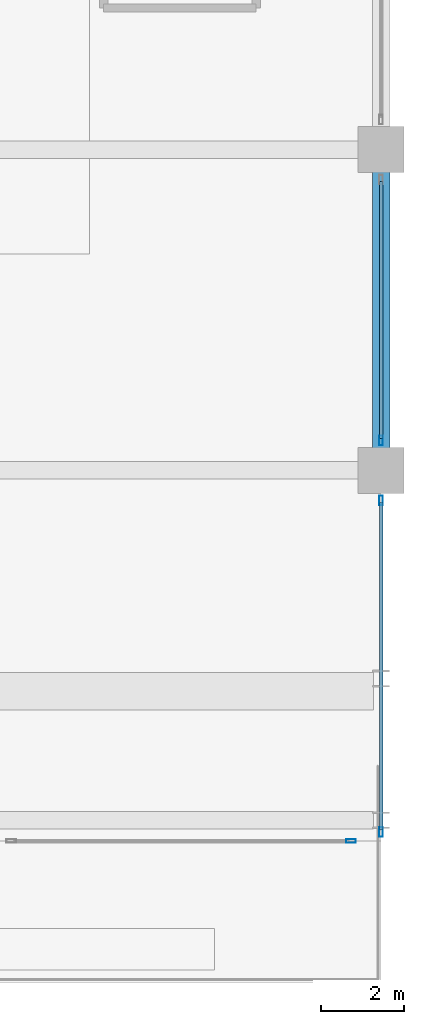
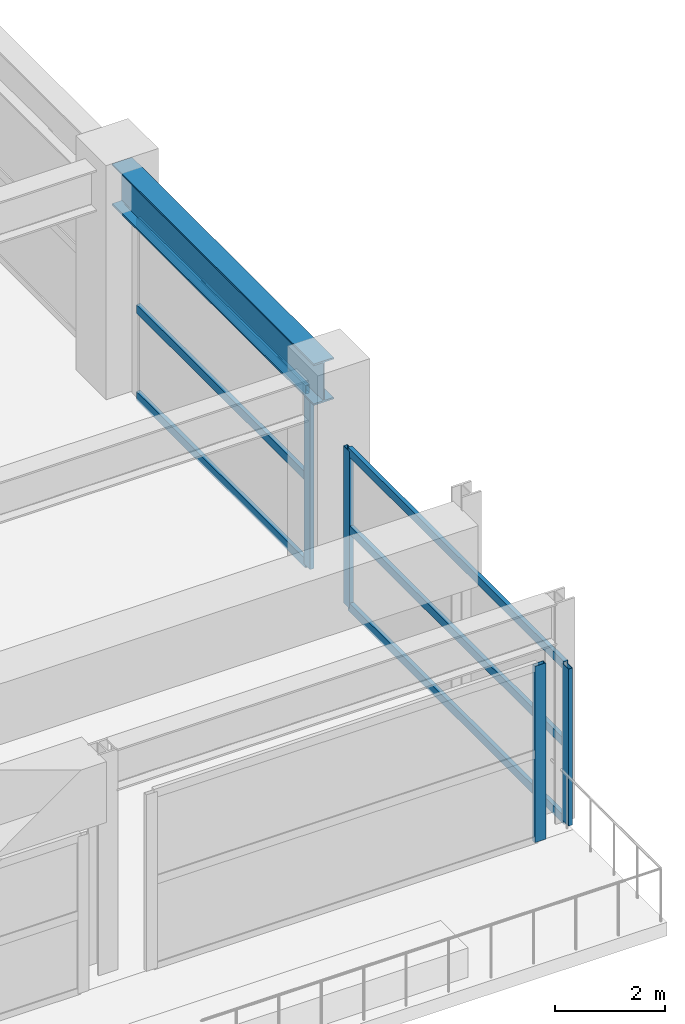
# One storey, part 27 of 45: 10 members, 1 beam, 3 elements without a shape of their own.
"""IFC4 building model written with IfcOpenShell, lengths in metres."""

from ifc_helpers import new_model, si_unit, direction, frame, origin, origin_2d, place, context, subcontext, project, spatial, hollow_rectangle, i_section, extrude, material, material_profile, profile_set, type_object, element, aggregate, save


model = new_model("IFC4")

# Units and contexts
model_context = context("Model", 3, precision=1e-05, world=origin(), true_north=direction((0.0, 1.0)))
body_context = subcontext(model_context, "Body", "Model", "MODEL_VIEW")
ifc_project = project(units=[si_unit("LENGTHUNIT", "METRE"), si_unit("AREAUNIT", "SQUARE_METRE"), si_unit("VOLUMEUNIT", "CUBIC_METRE"), si_unit("PLANEANGLEUNIT", "RADIAN"), si_unit("MASSUNIT", "GRAM", prefix="KILO")], contexts=[model_context])

# Site, building, storey
site_placement = place(None, origin())
site = spatial("IfcSite", under=ifc_project, at=site_placement, CompositionType="ELEMENT")
building_placement = place(site_placement, origin())
building = spatial("IfcBuilding", under=site, at=building_placement, Name="Kovane Verandah Tower", CompositionType="ELEMENT")
storey_placement = place(building_placement, frame((0.0, 0.0, 6.0)))
storey = spatial("IfcBuildingStorey", under=building, at=storey_placement, Name="L01", CompositionType="ELEMENT", Elevation=6.0)

# Beam
ifc_material_1 = material(Name="Steel S460", Category="steel")
ifc_material_profile_1 = material_profile(ifc_material_1, i_section(OverallWidth=0.42041015625, OverallDepth=0.9208984375, WebThickness=0.021484375, FlangeThickness=0.03662109375, FilletRadius=0.024169921875, at=origin_2d()), Name="UB914x419x388")
ifc_profile_set_1 = profile_set([ifc_material_profile_1], Name="Steel S460")
beam_type = type_object("IfcBeamType", Name="BM-UB914x388", PredefinedType="BEAM", material=ifc_profile_set_1)
beam_placement = place(storey_placement, frame((82.0, 10.97998046875, 4.439453125), z_axis=(0.0, 1.0, 0.0), x_axis=(-1.0, 0.0, 0.0)))
element("IfcBeam", 1, at=beam_placement, inside=storey, type_object=beam_type, Name="L01 Podium Grid Girder Y40", PredefinedType="BEAM", context=body_context, shape_type="SweptSolid", body=[
    extrude(i_section(OverallWidth=0.42041015625, OverallDepth=0.9208984375, WebThickness=0.021484375, FlangeThickness=0.03662109375, FilletRadius=0.024169921875, at=origin_2d()), origin(), (0.0, 0.0, 1.0), 7.340087890625),
])

# Curtain wall, member
ifc_material_2 = material(Name="Champagne Anodised Aluminium Frame with Low-E Clear Laminated Glass", Category="aluminium")
curtain_wall_type = type_object("IfcCurtainWallType", Name="CW-SYS-01-POD", PredefinedType="NOTDEFINED", material=ifc_material_2)
curtain_wall_1_placement = place(storey_placement, origin())
curtain_wall_1 = element("IfcCurtainWall", 2, at=curtain_wall_1_placement, inside=storey, type_object=curtain_wall_type, Name="L01 South Podium Curtain Wall Bay 7.1", PredefinedType="NOTDEFINED")
ifc_material_3 = material(Name="Champagne Anodised Aluminium 6063-T6", Category="aluminium")
ifc_material_profile_2 = material_profile(ifc_material_3, hollow_rectangle(XDim=0.0849609375, YDim=0.22998046875, WallThickness=0.00390625, at=origin_2d()), Name="AL85x230x4")
ifc_profile_set_2 = profile_set([ifc_material_profile_2], Name="Champagne Anodised Aluminium 6063-T6")
member_type_1 = type_object("IfcMemberType", Name="CW-MUL-85x230", PredefinedType="MULLION", material=ifc_profile_set_2)
member_1_placement = place(storey_placement, frame((81.280029296875, 1.89990234375, 0.02001953125), z_axis=(0.0, 0.0, 1.0), x_axis=(0.0, -1.0, 0.0)))
member_1 = element("IfcMember", 3, at=member_1_placement, type_object=member_type_1, Name="L01 South Podium Curtain Wall Bay 7.1 Mullion 2", PredefinedType="MULLION", context=body_context, shape_type="SweptSolid", body=[
    extrude(hollow_rectangle(XDim=0.0849609375, YDim=0.22998046875, WallThickness=0.00390625, at=origin_2d()), origin(), (0.0, 0.0, 1.0), 3.9189453125),
])
aggregate(curtain_wall_1, [member_1])

# Curtain wall, members
curtain_wall_2_placement = place(storey_placement, origin())
curtain_wall_2 = element("IfcCurtainWall", 4, at=curtain_wall_2_placement, inside=storey, type_object=curtain_wall_type, Name="L01 East Podium Curtain Wall Bay 1", PredefinedType="NOTDEFINED")
member_2_placement = place(storey_placement, frame((82.0, 2.1201171875, 0.02001953125), z_axis=(0.0, 0.0, 1.0), x_axis=(1.0, 0.0, 0.0)))
member_2 = element("IfcMember", 5, at=member_2_placement, type_object=member_type_1, Name="L01 East Podium Curtain Wall Bay 1 Mullion 1", PredefinedType="MULLION", context=body_context, shape_type="SweptSolid", body=[
    extrude(hollow_rectangle(XDim=0.0849609375, YDim=0.22998046875, WallThickness=0.00390625, at=origin_2d()), origin(), (0.0, 0.0, 1.0), 3.489990234375),
])
member_3_placement = place(storey_placement, frame((82.0, 10.080078125, 0.02001953125), z_axis=(0.0, 0.0, 1.0), x_axis=(1.0, 0.0, 0.0)))
member_3 = element("IfcMember", 6, at=member_3_placement, type_object=member_type_1, Name="L01 East Podium Curtain Wall Bay 1 Mullion 2", PredefinedType="MULLION", context=body_context, shape_type="SweptSolid", body=[
    extrude(hollow_rectangle(XDim=0.0849609375, YDim=0.22998046875, WallThickness=0.00390625, at=origin_2d()), origin(), (0.0, 0.0, 1.0), 3.489990234375),
])

# Curtain wall, member
curtain_wall_3_placement = place(storey_placement, origin())
curtain_wall_3 = element("IfcCurtainWall", 7, at=curtain_wall_3_placement, inside=storey, type_object=curtain_wall_type, Name="L01 East Podium Curtain Wall Bay 2", PredefinedType="NOTDEFINED")
member_4_placement = place(storey_placement, frame((82.0, 11.52001953125, 0.02001953125), z_axis=(0.0, 0.0, 1.0), x_axis=(1.0, 0.0, 0.0)))
member_4 = element("IfcMember", 8, at=member_4_placement, type_object=member_type_1, Name="L01 East Podium Curtain Wall Bay 2 Mullion 1", PredefinedType="MULLION", context=body_context, shape_type="SweptSolid", body=[
    extrude(hollow_rectangle(XDim=0.0849609375, YDim=0.22998046875, WallThickness=0.00390625, at=origin_2d()), origin(), (0.0, 0.0, 1.0), 3.9189453125),
])

# Member
ifc_material_profile_3 = material_profile(ifc_material_3, hollow_rectangle(XDim=0.0849609375, YDim=0.18994140625, WallThickness=0.00390625, at=origin_2d()), Name="AL85x190x4")
ifc_profile_set_3 = profile_set([ifc_material_profile_3], Name="Champagne Anodised Aluminium 6063-T6")
member_type_2 = type_object("IfcMemberType", Name="CW-TRN-85x190", PredefinedType="USERDEFINED", material=ifc_profile_set_3)
member_5_placement = place(storey_placement, frame((82.0, 2.169921875, 0.050048828125), z_axis=(0.0, 1.0, 0.0), x_axis=(-1.0, 0.0, 0.0)))
member_5 = element("IfcMember", 9, at=member_5_placement, type_object=member_type_2, Name="L01 East Podium Curtain Wall Bay 1 Transom TB Bay 1", ObjectType="TRANSOM", PredefinedType="USERDEFINED", context=body_context, shape_type="SweptSolid", body=[
    extrude(hollow_rectangle(XDim=0.0849609375, YDim=0.18994140625, WallThickness=0.00390625, at=origin_2d()), origin(), (0.0, 0.0, 1.0), 7.860107421875),
])

member_6_placement = place(storey_placement, frame((82.0, 2.169921875, 1.764892578125), z_axis=(0.0, 1.0, 0.0), x_axis=(-1.0, 0.0, 0.0)))
member_6 = element("IfcMember", 10, at=member_6_placement, type_object=member_type_2, Name="L01 East Podium Curtain Wall Bay 1 Transom TM Bay 1", ObjectType="TRANSOM", PredefinedType="USERDEFINED", context=body_context, shape_type="SweptSolid", body=[
    extrude(hollow_rectangle(XDim=0.0849609375, YDim=0.18994140625, WallThickness=0.00390625, at=origin_2d()), origin(), (0.0, 0.0, 1.0), 7.860107421875),
])

member_7_placement = place(storey_placement, frame((82.0, 2.169921875, 3.47998046875), z_axis=(0.0, 1.0, 0.0), x_axis=(-1.0, 0.0, 0.0)))
member_7 = element("IfcMember", 11, at=member_7_placement, type_object=member_type_2, Name="L01 East Podium Curtain Wall Bay 1 Transom TT Bay 1", ObjectType="TRANSOM", PredefinedType="USERDEFINED", context=body_context, shape_type="SweptSolid", body=[
    extrude(hollow_rectangle(XDim=0.0849609375, YDim=0.18994140625, WallThickness=0.00390625, at=origin_2d()), origin(), (0.0, 0.0, 1.0), 7.860107421875),
])

aggregate(curtain_wall_2, [member_2, member_3, member_5, member_6, member_7])

member_8_placement = place(storey_placement, frame((82.0, 11.570068359375, 0.050048828125), z_axis=(0.0, 1.0, 0.0), x_axis=(-1.0, 0.0, 0.0)))
member_8 = element("IfcMember", 12, at=member_8_placement, type_object=member_type_2, Name="L01 East Podium Curtain Wall Bay 2 Transom TB Bay 1", ObjectType="TRANSOM", PredefinedType="USERDEFINED", context=body_context, shape_type="SweptSolid", body=[
    extrude(hollow_rectangle(XDim=0.0849609375, YDim=0.18994140625, WallThickness=0.00390625, at=origin_2d()), origin(), (0.0, 0.0, 1.0), 6.159912109375),
])

member_9_placement = place(storey_placement, frame((82.0, 11.570068359375, 1.9794921875), z_axis=(0.0, 1.0, 0.0), x_axis=(-1.0, 0.0, 0.0)))
member_9 = element("IfcMember", 13, at=member_9_placement, type_object=member_type_2, Name="L01 East Podium Curtain Wall Bay 2 Transom TM Bay 1", ObjectType="TRANSOM", PredefinedType="USERDEFINED", context=body_context, shape_type="SweptSolid", body=[
    extrude(hollow_rectangle(XDim=0.0849609375, YDim=0.18994140625, WallThickness=0.00390625, at=origin_2d()), origin(), (0.0, 0.0, 1.0), 6.159912109375),
])

member_10_placement = place(storey_placement, frame((82.0, 11.570068359375, 3.908935546875), z_axis=(0.0, 1.0, 0.0), x_axis=(-1.0, 0.0, 0.0)))
member_10 = element("IfcMember", 14, at=member_10_placement, type_object=member_type_2, Name="L01 East Podium Curtain Wall Bay 2 Transom TT Bay 1", ObjectType="TRANSOM", PredefinedType="USERDEFINED", context=body_context, shape_type="SweptSolid", body=[
    extrude(hollow_rectangle(XDim=0.0849609375, YDim=0.18994140625, WallThickness=0.00390625, at=origin_2d()), origin(), (0.0, 0.0, 1.0), 6.159912109375),
])

aggregate(curtain_wall_3, [member_4, member_8, member_9, member_10])

save(model, "model.ifc")
